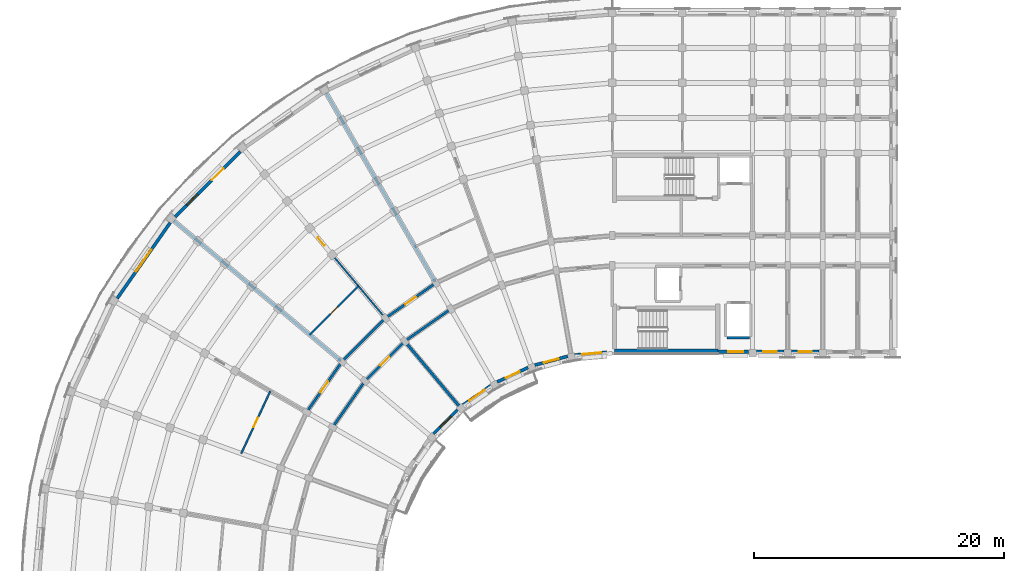
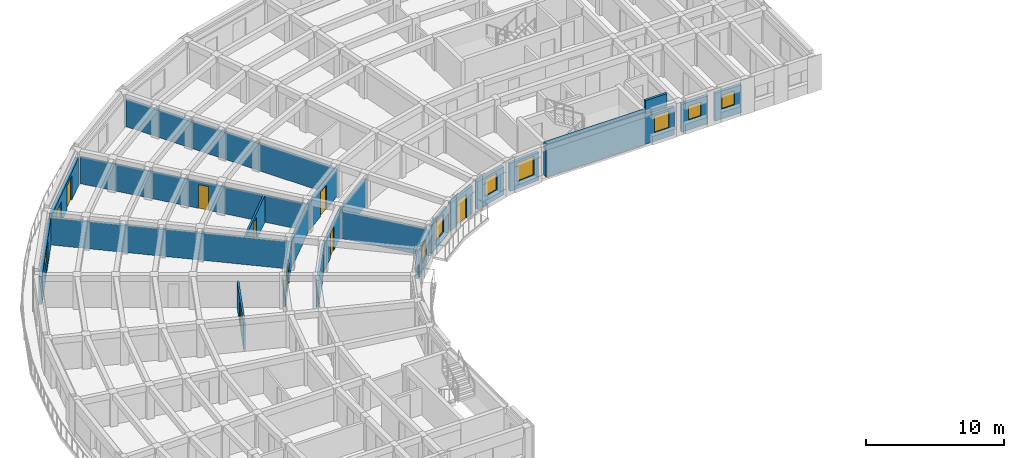
# One storey, part 17 of 41: 24 walls, 9 windows, 8 doors, 17 openings.
"""IFC4 building model written with IfcOpenShell, lengths in metres."""

from ifc_helpers import new_model, si_unit, direction, frame, frame_2d, origin, place, context, subcontext, project, spatial, rectangle, extrude, material, layer, layer_set, type_object, element, fill, save


model = new_model("IFC4")

# Units and contexts
model_context = context("Model", 3, precision=1e-05, world=origin(), true_north=direction((0.0, 1.0)))
body_context = subcontext(model_context, "Body", "Model", "MODEL_VIEW")
ifc_project = project(units=[si_unit("LENGTHUNIT", "METRE"), si_unit("AREAUNIT", "SQUARE_METRE"), si_unit("VOLUMEUNIT", "CUBIC_METRE"), si_unit("PLANEANGLEUNIT", "RADIAN"), si_unit("MASSUNIT", "GRAM", prefix="KILO")], contexts=[model_context])

# Site, building, storey
site_placement = place(None, origin())
site = spatial("IfcSite", under=ifc_project, at=site_placement, CompositionType="ELEMENT")
building_placement = place(site_placement, origin())
building = spatial("IfcBuilding", under=site, at=building_placement, Name="Kiranvali Square Residences", CompositionType="ELEMENT")
storey_placement = place(building_placement, frame((0.0, 0.0, 33.89990234375)))
storey = spatial("IfcBuildingStorey", under=building, at=storey_placement, Name="L10", CompositionType="ELEMENT", Elevation=33.89990234375)

# Wall
ifc_material_1 = material(Name="Autoclaved aerated concrete blockwork masonry", Category="masonry")
ifc_layer_1 = layer(ifc_material_1, 0.199951171875)
ifc_layer_set_1 = layer_set([ifc_layer_1], Name="Autoclaved aerated concrete blockwork masonry")
wall_type_1 = type_object("IfcWallType", Name="WL-COR-200", PredefinedType="STANDARD", material=ifc_layer_set_1)
wall_1_placement = place(storey_placement, frame((35.300048828125, 110.1435546875, 0.0), z_axis=(0.0, 0.0, 1.0), x_axis=(-0.819155404658, -0.573571637217, 0.0)))
element("IfcWall", 1, at=wall_1_placement, inside=storey, type_object=wall_type_1, Name="L10 architectural wall WL-L10-A-CCI-3", PredefinedType="STANDARD", context=body_context, shape_type="SweptSolid", body=[
    extrude(rectangle(XDim=4.497314453125, YDim=0.199951171875, at=frame_2d((2.24853515625, 0.0))), origin(), (0.0, 0.0, 1.0), 2.3720703125),
])

# Wall, opening, door
wall_2_placement = place(storey_placement, frame((34.10009765625, 112.221923828125, 0.0), z_axis=(0.0, 0.0, 1.0), x_axis=(-0.819140911474, -0.573592335331, 0.0)))
wall_2 = element("IfcWall", 2, at=wall_2_placement, inside=storey, type_object=wall_type_1, Name="L10 architectural wall WL-L10-A-CCO-3", PredefinedType="STANDARD", context=body_context, shape_type="SweptSolid", body=[
    extrude(rectangle(XDim=4.915771484375, YDim=0.199951171875, at=frame_2d((2.4580078125, 0.0))), origin(), (0.0, 0.0, 1.0), 2.3720703125),
])
opening_1_placement = place(wall_2_placement, frame((1.937744140625, 0.0, 0.0)))
opening_1 = element("IfcOpeningElement", 3, at=opening_1_placement, cuts=wall_2, Name="Opening FD-APT-60B", PredefinedType="OPENING", context=body_context, shape_type="SweptSolid", body=[
    extrude(rectangle(XDim=1.0400390625, YDim=2.14990234375, at=frame_2d((0.52001953125, 1.074951171875))), frame((0.0, 0.10986328125, 0.0), z_axis=(0.0, -1.0, 0.0), x_axis=(1.0, 0.0, 0.0)), (0.0, 0.0, 1.0), 0.219970703125),
])
ifc_material_2 = material(Name="Fire-rated acoustic hardwood and mineral-core door assembly", Category="wood")
door_type_1 = type_object("IfcDoorType", Name="DR-APT-1040", OperationType="NOTDEFINED", PredefinedType="DOOR", material=ifc_material_2)
door_1_placement = place(opening_1_placement, origin())
door_1 = element("IfcDoor", 4, at=door_1_placement, inside=storey, type_object=door_type_1, Name="L10 door DR-L10-0661 (DR-APT-1040)", OperationType="SINGLE_SWING_LEFT", OverallHeight=2.14990234375, OverallWidth=1.0400390625, PredefinedType="DOOR", context=body_context, shape_type="SweptSolid", body=[
    extrude(rectangle(XDim=1.0400390625, YDim=2.14990234375, at=frame_2d((0.52001953125, 1.074951171875))), frame((0.0, 0.02490234375, 0.0), z_axis=(0.0, -1.0, 0.0), x_axis=(1.0, 0.0, 0.0)), (0.0, 0.0, 1.0), 0.050048828125),
])
fill(opening_1, door_1)

wall_3_placement = place(storey_placement, frame((31.615966796875, 107.56396484375, 0.0), z_axis=(0.0, 0.0, 1.0), x_axis=(-0.707106781187, -0.707106781187, 0.0)))
wall_3 = element("IfcWall", 5, at=wall_3_placement, inside=storey, type_object=wall_type_1, Name="L10 architectural wall WL-L10-A-CCI-4", PredefinedType="STANDARD", context=body_context, shape_type="SweptSolid", body=[
    extrude(rectangle(XDim=4.4970703125, YDim=0.199951171875, at=frame_2d((2.24853515625, 0.0))), origin(), (0.0, 0.0, 1.0), 2.3720703125),
])
opening_2_placement = place(wall_3_placement, frame((1.74853515625, 0.0, 0.0)))
opening_2 = element("IfcOpeningElement", 6, at=opening_2_placement, cuts=wall_3, Name="Opening FD-APT-60", PredefinedType="OPENING", context=body_context, shape_type="SweptSolid", body=[
    extrude(rectangle(XDim=1.0, YDim=2.14990234375, at=frame_2d((0.5, 1.074951171875))), frame((0.0, 0.10986328125, 0.0), z_axis=(0.0, -1.0, 0.0), x_axis=(1.0, 0.0, 0.0)), (0.0, 0.0, 1.0), 0.219970703125),
])
door_type_2 = type_object("IfcDoorType", Name="DR-APT-1000", OperationType="NOTDEFINED", PredefinedType="DOOR", material=ifc_material_2)
door_2_placement = place(opening_2_placement, origin())
door_2 = element("IfcDoor", 7, at=door_2_placement, inside=storey, type_object=door_type_2, Name="L10 door DR-L10-0669 (DR-APT-1000)", OperationType="SINGLE_SWING_LEFT", OverallHeight=2.14990234375, OverallWidth=1.0, PredefinedType="DOOR", context=body_context, shape_type="SweptSolid", body=[
    extrude(rectangle(XDim=1.0, YDim=2.14990234375, at=frame_2d((0.5, 1.074951171875))), frame((0.0, 0.02490234375, 0.0), z_axis=(0.0, -1.0, 0.0), x_axis=(1.0, 0.0, 0.0)), (0.0, 0.0, 1.0), 0.050048828125),
])
fill(opening_2, door_2)

# Walls
wall_4_placement = place(storey_placement, frame((30.073486328125, 109.40234375, 0.0), z_axis=(0.0, 0.0, 1.0), x_axis=(-0.707106781187, -0.707106781187, 0.0)))
element("IfcWall", 8, at=wall_4_placement, inside=storey, type_object=wall_type_1, Name="L10 architectural wall WL-L10-A-CCO-4", PredefinedType="STANDARD", context=body_context, shape_type="SweptSolid", body=[
    extrude(rectangle(XDim=4.91552734375, YDim=0.199951171875, at=frame_2d((2.457763671875, 0.0))), origin(), (0.0, 0.0, 1.0), 2.3720703125),
])
wall_5_placement = place(storey_placement, frame((28.43603515625, 104.384033203125, 0.0), z_axis=(0.0, 0.0, 1.0), x_axis=(-0.573571637217, -0.819155404658, 0.0)))
element("IfcWall", 9, at=wall_5_placement, inside=storey, type_object=wall_type_1, Name="L10 architectural wall WL-L10-A-CCI-5", PredefinedType="STANDARD", context=body_context, shape_type="SweptSolid", body=[
    extrude(rectangle(XDim=4.497314453125, YDim=0.199951171875, at=frame_2d((2.24853515625, 0.0))), origin(), (0.0, 0.0, 1.0), 2.3720703125),
])

# Wall, opening, door
wall_6_placement = place(storey_placement, frame((26.59765625, 105.926513671875, 0.0), z_axis=(0.0, 0.0, 1.0), x_axis=(-0.573592335331, -0.819140911474, 0.0)))
wall_6 = element("IfcWall", 10, at=wall_6_placement, inside=storey, type_object=wall_type_1, Name="L10 architectural wall WL-L10-A-CCO-5", PredefinedType="STANDARD", context=body_context, shape_type="SweptSolid", body=[
    extrude(rectangle(XDim=4.915771484375, YDim=0.199951171875, at=frame_2d((2.4580078125, 0.0))), origin(), (0.0, 0.0, 1.0), 2.3720703125),
])
opening_3_placement = place(wall_6_placement, frame((1.917724609375, 0.0, 0.0)))
opening_3 = element("IfcOpeningElement", 11, at=opening_3_placement, cuts=wall_6, Name="Opening FD-APT-60C", PredefinedType="OPENING", context=body_context, shape_type="SweptSolid", body=[
    extrude(rectangle(XDim=1.080078125, YDim=2.14990234375, at=frame_2d((0.5400390625, 1.074951171875))), frame((0.0, 0.10986328125, 0.0), z_axis=(0.0, -1.0, 0.0), x_axis=(1.0, 0.0, 0.0)), (0.0, 0.0, 1.0), 0.219970703125),
])
door_type_3 = type_object("IfcDoorType", Name="DR-APT-1080", OperationType="NOTDEFINED", PredefinedType="DOOR", material=ifc_material_2)
door_3_placement = place(opening_3_placement, origin())
door_3 = element("IfcDoor", 12, at=door_3_placement, inside=storey, type_object=door_type_3, Name="L10 door DR-L10-0663 (DR-APT-1080)", OperationType="SINGLE_SWING_LEFT", OverallHeight=2.14990234375, OverallWidth=1.080078125, PredefinedType="DOOR", context=body_context, shape_type="SweptSolid", body=[
    extrude(rectangle(XDim=1.080078125, YDim=2.14990234375, at=frame_2d((0.5400390625, 1.074951171875))), frame((0.0, 0.02490234375, 0.0), z_axis=(0.0, -1.0, 0.0), x_axis=(1.0, 0.0, 0.0)), (0.0, 0.0, 1.0), 0.050048828125),
])
fill(opening_3, door_3)

# Walls
ifc_layer_2 = layer(ifc_material_1, 0.219970703125)
ifc_layer_set_2 = layer_set([ifc_layer_2], Name="Autoclaved aerated concrete blockwork masonry")
wall_type_2 = type_object("IfcWallType", Name="WL-DEM-220", PredefinedType="STANDARD", material=ifc_layer_set_2)
wall_7_placement = place(storey_placement, frame((34.050048828125, 112.30859375, 0.0), z_axis=(0.0, 0.0, 1.0), x_axis=(-0.499997843263, 0.866026648973, 0.0)))
element("IfcWall", 13, at=wall_7_placement, inside=storey, type_object=wall_type_2, Name="L10 architectural wall WL-L10-A-RADO-3", PredefinedType="STANDARD", context=body_context, shape_type="SweptSolid", body=[
    extrude(rectangle(XDim=17.419921875, YDim=0.219970703125, at=frame_2d((8.7099609375, 0.0))), origin(), (0.0, 0.0, 1.0), 2.3720703125),
])
wall_8_placement = place(storey_placement, frame((35.987060546875, 102.354736328125, 0.0), z_axis=(0.0, 0.0, 1.0), x_axis=(-0.642784846501, 0.766046761698, 0.0)))
element("IfcWall", 14, at=wall_8_placement, inside=storey, type_object=wall_type_2, Name="L10 architectural wall WL-L10-A-RADI-4", PredefinedType="STANDARD", context=body_context, shape_type="SweptSolid", body=[
    extrude(rectangle(XDim=6.75, YDim=0.219970703125, at=frame_2d((3.375, 0.0))), origin(), (0.0, 0.0, 1.0), 2.3720703125),
])
wall_9_placement = place(storey_placement, frame((26.52099609375, 105.990966796875, 0.0), z_axis=(0.0, 0.0, 1.0), x_axis=(-0.766046835987, 0.642784757967, 0.0)))
element("IfcWall", 15, at=wall_9_placement, inside=storey, type_object=wall_type_2, Name="L10 architectural wall WL-L10-A-RADO-5", PredefinedType="STANDARD", context=body_context, shape_type="SweptSolid", body=[
    extrude(rectangle(XDim=17.419921875, YDim=0.219970703125, at=frame_2d((8.7099609375, 0.0))), origin(), (0.0, 0.0, 1.0), 2.3720703125),
])

# Wall, openings, door, window
ifc_material_3 = material(Name="Breathable lime-rendered clay brick masonry", Category="masonry")
ifc_layer_3 = layer(ifc_material_3, 0.25)
ifc_layer_set_3 = layer_set([ifc_layer_3], Name="Breathable lime-rendered clay brick masonry")
wall_type_3 = type_object("IfcWallType", Name="WL-EXT-250", PredefinedType="STANDARD", material=ifc_layer_set_3)
wall_10_placement = place(storey_placement, frame((18.489990234375, 122.719482421875, 0.0), z_axis=(0.0, 0.0, 1.0), x_axis=(-0.707106781187, -0.707106781187, 0.0)))
wall_10 = element("IfcWall", 16, at=wall_10_placement, inside=storey, type_object=wall_type_3, Name="L10 exterior wall A-L10-CRV-04", PredefinedType="STANDARD", context=body_context, shape_type="SweptSolid", body=[
    extrude(rectangle(XDim=7.3671875, YDim=0.25, at=frame_2d((3.68359375, 0.0))), origin(), (0.0, 0.0, 1.0), 2.47216796875),
])
opening_4_placement = place(wall_10_placement, frame((4.83984375, 0.0, 0.322021484375)))
opening_4 = element("IfcOpeningElement", 17, at=opening_4_placement, cuts=wall_10, Name="Opening W-06", PredefinedType="OPENING", context=body_context, shape_type="SweptSolid", body=[
    extrude(rectangle(XDim=1.199951171875, YDim=1.5, at=frame_2d((0.60009765625, 0.75))), frame((0.0, 0.135009765625, 0.0), z_axis=(0.0, -1.0, 0.0), x_axis=(1.0, 0.0, 0.0)), (0.0, 0.0, 1.0), 0.27001953125),
])
opening_5_placement = place(wall_10_placement, frame((1.91845703125, 0.0, 0.0)))
opening_5 = element("IfcOpeningElement", 18, at=opening_5_placement, cuts=wall_10, Name="Opening ED-BAL-3", PredefinedType="OPENING", context=body_context, shape_type="SweptSolid", body=[
    extrude(rectangle(XDim=1.320068359375, YDim=2.14990234375, at=frame_2d((0.66015625, 1.074951171875))), frame((0.0, 0.135009765625, 0.0), z_axis=(0.0, -1.0, 0.0), x_axis=(1.0, 0.0, 0.0)), (0.0, 0.0, 1.0), 0.27001953125),
])
ifc_material_4 = material(Name="Anodised bronze aluminium framing", Category="aluminium")
door_type_4 = type_object("IfcDoorType", Name="DR-BAL-1320", OperationType="NOTDEFINED", PredefinedType="DOOR", material=ifc_material_4)
door_4_placement = place(opening_5_placement, frame((1.320068359375, 0.0, 0.0), z_axis=(0.0, 0.0, 1.0), x_axis=(-1.0, 0.0, 0.0)))
door_4 = element("IfcDoor", 19, at=door_4_placement, inside=storey, type_object=door_type_4, Name="L10 balcony terrace door", OperationType="SINGLE_SWING_LEFT", OverallHeight=2.14990234375, OverallWidth=1.320068359375, PredefinedType="DOOR", context=body_context, shape_type="SweptSolid", body=[
    extrude(rectangle(XDim=1.320068359375, YDim=2.14990234375, at=frame_2d((0.66015625, 1.074951171875))), frame((0.0, 0.02490234375, 0.0), z_axis=(0.0, -1.0, 0.0), x_axis=(1.0, 0.0, 0.0)), (0.0, 0.0, 1.0), 0.050048828125),
])
fill(opening_5, door_4)
ifc_material_5 = material(Name="Solar-control low-e double glazing", Category="glass")
window_type_1 = type_object("IfcWindowType", Name="WIN-RES-1200x1500", PartitioningType="SINGLE_PANEL", PredefinedType="WINDOW", material=ifc_material_5)
window_1_placement = place(opening_4_placement, origin())
window_1 = element("IfcWindow", 20, at=window_1_placement, inside=storey, type_object=window_type_1, Name="L10 recessed window A-L10-CRV-04", OverallHeight=1.5, OverallWidth=1.199951171875, PartitioningType="SINGLE_PANEL", PredefinedType="WINDOW", context=body_context, shape_type="SweptSolid", body=[
    extrude(rectangle(XDim=1.199951171875, YDim=1.5, at=frame_2d((0.60009765625, 0.75))), frame((0.0, 0.030029296875, 0.0), z_axis=(0.0, -1.0, 0.0), x_axis=(1.0, 0.0, 0.0)), (0.0, 0.0, 1.0), 0.06005859375),
])
fill(opening_4, window_1)

# Wall, opening, window
wall_11_placement = place(storey_placement, frame((12.877685546875, 117.02978515625, 0.0), z_axis=(0.0, 0.0, 1.0), x_axis=(-0.573582441919, -0.819147839112, 0.0)))
wall_11 = element("IfcWall", 21, at=wall_11_placement, inside=storey, type_object=wall_type_3, Name="L10 exterior wall A-L10-CRV-05", PredefinedType="STANDARD", context=body_context, shape_type="SweptSolid", body=[
    extrude(rectangle(XDim=7.366943359375, YDim=0.25, at=frame_2d((3.68359375, 0.0))), origin(), (0.0, 0.0, 1.0), 2.47216796875),
])
opening_6_placement = place(wall_11_placement, frame((2.633544921875, 0.0, 0.471923828125)))
opening_6 = element("IfcOpeningElement", 22, at=opening_6_placement, cuts=wall_11, Name="Opening W-03", PredefinedType="OPENING", context=body_context, shape_type="SweptSolid", body=[
    extrude(rectangle(XDim=2.10009765625, YDim=1.800048828125, at=frame_2d((1.050048828125, 0.89990234375))), frame((0.0, 0.135009765625, 0.0), z_axis=(0.0, -1.0, 0.0), x_axis=(1.0, 0.0, 0.0)), (0.0, 0.0, 1.0), 0.27001953125),
])
window_type_2 = type_object("IfcWindowType", Name="WIN-RES-2100x1800", PartitioningType="TRIPLE_PANEL_VERTICAL", PredefinedType="WINDOW", material=ifc_material_5)
window_2_placement = place(opening_6_placement, origin())
window_2 = element("IfcWindow", 23, at=window_2_placement, inside=storey, type_object=window_type_2, Name="L10 recessed window A-L10-CRV-05", OverallHeight=1.800048828125, OverallWidth=2.10009765625, PartitioningType="TRIPLE_PANEL_VERTICAL", PredefinedType="WINDOW", context=body_context, shape_type="SweptSolid", body=[
    extrude(rectangle(XDim=2.10009765625, YDim=1.800048828125, at=frame_2d((1.050048828125, 0.89990234375))), frame((0.0, 0.030029296875, 0.0), z_axis=(0.0, -1.0, 0.0), x_axis=(1.0, 0.0, 0.0)), (0.0, 0.0, 1.0), 0.06005859375),
])
fill(opening_6, window_2)

wall_12_placement = place(storey_placement, frame((47.750732421875, 106.686279296875, 0.0), z_axis=(0.0, 0.0, 1.0), x_axis=(-0.996188847542, -0.087222589008, 0.0)))
wall_12 = element("IfcWall", 24, at=wall_12_placement, inside=storey, type_object=wall_type_3, Name="L10 exterior wall A-L10-GDN-00", PredefinedType="STANDARD", context=body_context, shape_type="SweptSolid", body=[
    extrude(rectangle(XDim=2.558349609375, YDim=0.25, at=frame_2d((1.279296875, 0.0))), origin(), (0.0, 0.0, 1.0), 2.47216796875),
])
opening_7_placement = place(wall_12_placement, frame((0.448486328125, 0.0, 0.6220703125)))
opening_7 = element("IfcOpeningElement", 25, at=opening_7_placement, cuts=wall_12, Name="Opening W-05", PredefinedType="OPENING", context=body_context, shape_type="SweptSolid", body=[
    extrude(rectangle(XDim=1.5, YDim=1.64990234375, at=frame_2d((0.75, 0.824951171875))), frame((0.0, 0.135009765625, 0.0), z_axis=(0.0, -1.0, 0.0), x_axis=(1.0, 0.0, 0.0)), (0.0, 0.0, 1.0), 0.27001953125),
])
window_type_3 = type_object("IfcWindowType", Name="WIN-RES-1500x1650", PartitioningType="DOUBLE_PANEL_VERTICAL", PredefinedType="WINDOW", material=ifc_material_5)
window_3_placement = place(opening_7_placement, origin())
window_3 = element("IfcWindow", 26, at=window_3_placement, inside=storey, type_object=window_type_3, Name="L10 recessed window A-L10-GDN-00", OverallHeight=1.64990234375, OverallWidth=1.5, PartitioningType="DOUBLE_PANEL_VERTICAL", PredefinedType="WINDOW", context=body_context, shape_type="SweptSolid", body=[
    extrude(rectangle(XDim=1.5, YDim=1.64990234375, at=frame_2d((0.75, 0.824951171875))), frame((0.0, 0.030029296875, 0.0), z_axis=(0.0, -1.0, 0.0), x_axis=(1.0, 0.0, 0.0)), (0.0, 0.0, 1.0), 0.06005859375),
])
fill(opening_7, window_3)

wall_13_placement = place(storey_placement, frame((44.6337890625, 106.363037109375, 0.0), z_axis=(0.0, 0.0, 1.0), x_axis=(-0.965928818058, -0.258807879411, 0.0)))
wall_13 = element("IfcWall", 27, at=wall_13_placement, inside=storey, type_object=wall_type_3, Name="L10 exterior wall A-L10-GDN-01", PredefinedType="STANDARD", context=body_context, shape_type="SweptSolid", body=[
    extrude(rectangle(XDim=2.7197265625, YDim=0.25, at=frame_2d((1.35986328125, 0.0))), origin(), (0.0, 0.0, 1.0), 2.47216796875),
])
opening_8_placement = place(wall_13_placement, frame((0.759765625, 0.0, 0.77197265625)))
opening_8 = element("IfcOpeningElement", 28, at=opening_8_placement, cuts=wall_13, Name="Opening W-06", PredefinedType="OPENING", context=body_context, shape_type="SweptSolid", body=[
    extrude(rectangle(XDim=1.199951171875, YDim=1.5, at=frame_2d((0.60009765625, 0.75))), frame((0.0, 0.135009765625, 0.0), z_axis=(0.0, -1.0, 0.0), x_axis=(1.0, 0.0, 0.0)), (0.0, 0.0, 1.0), 0.27001953125),
])
window_4_placement = place(opening_8_placement, origin())
window_4 = element("IfcWindow", 29, at=window_4_placement, inside=storey, type_object=window_type_1, Name="L10 recessed window A-L10-GDN-01", OverallHeight=1.5, OverallWidth=1.199951171875, PartitioningType="SINGLE_PANEL", PredefinedType="WINDOW", context=body_context, shape_type="SweptSolid", body=[
    extrude(rectangle(XDim=1.199951171875, YDim=1.5, at=frame_2d((0.60009765625, 0.75))), frame((0.0, 0.030029296875, 0.0), z_axis=(0.0, -1.0, 0.0), x_axis=(1.0, 0.0, 0.0)), (0.0, 0.0, 1.0), 0.06005859375),
])
fill(opening_8, window_4)

# Wall, opening, door
wall_14_placement = place(storey_placement, frame((41.464599609375, 105.461669921875, 0.0), z_axis=(0.0, 0.0, 1.0), x_axis=(-0.906302358412, -0.422629903269, 0.0)))
wall_14 = element("IfcWall", 30, at=wall_14_placement, inside=storey, type_object=wall_type_3, Name="L10 exterior wall A-L10-GDN-02", PredefinedType="STANDARD", context=body_context, shape_type="SweptSolid", body=[
    extrude(rectangle(XDim=2.7197265625, YDim=0.25, at=frame_2d((1.35986328125, 0.0))), origin(), (0.0, 0.0, 1.0), 2.47216796875),
])
opening_9_placement = place(wall_14_placement, frame((0.759765625, 0.0, 0.0)))
opening_9 = element("IfcOpeningElement", 31, at=opening_9_placement, cuts=wall_14, Name="Opening ED-BAL-1", PredefinedType="OPENING", context=body_context, shape_type="SweptSolid", body=[
    extrude(rectangle(XDim=1.199951171875, YDim=2.14990234375, at=frame_2d((0.60009765625, 1.074951171875))), frame((0.0, 0.135009765625, 0.0), z_axis=(0.0, -1.0, 0.0), x_axis=(1.0, 0.0, 0.0)), (0.0, 0.0, 1.0), 0.27001953125),
])
door_type_5 = type_object("IfcDoorType", Name="DR-BAL-1200", OperationType="NOTDEFINED", PredefinedType="DOOR", material=ifc_material_4)
door_5_placement = place(opening_9_placement, origin())
door_5 = element("IfcDoor", 32, at=door_5_placement, inside=storey, type_object=door_type_5, Name="L10 balcony terrace door", OperationType="SINGLE_SWING_LEFT", OverallHeight=2.14990234375, OverallWidth=1.199951171875, PredefinedType="DOOR", context=body_context, shape_type="SweptSolid", body=[
    extrude(rectangle(XDim=1.199951171875, YDim=2.14990234375, at=frame_2d((0.60009765625, 1.074951171875))), frame((0.0, 0.02490234375, 0.0), z_axis=(0.0, -1.0, 0.0), x_axis=(1.0, 0.0, 0.0)), (0.0, 0.0, 1.0), 0.050048828125),
])
fill(opening_9, door_5)

# Wall, opening, window
wall_15_placement = place(storey_placement, frame((38.5, 104.02392578125, 0.0), z_axis=(0.0, 0.0, 1.0), x_axis=(-0.819126475299, -0.573612950921, 0.0)))
wall_15 = element("IfcWall", 33, at=wall_15_placement, inside=storey, type_object=wall_type_3, Name="L10 exterior wall A-L10-GDN-03", PredefinedType="STANDARD", context=body_context, shape_type="SweptSolid", body=[
    extrude(rectangle(XDim=2.7197265625, YDim=0.25, at=frame_2d((1.35986328125, 0.0))), origin(), (0.0, 0.0, 1.0), 2.47216796875),
])
opening_10_placement = place(wall_15_placement, frame((0.60986328125, 0.0, 0.6220703125)))
opening_10 = element("IfcOpeningElement", 34, at=opening_10_placement, cuts=wall_15, Name="Opening W-05", PredefinedType="OPENING", context=body_context, shape_type="SweptSolid", body=[
    extrude(rectangle(XDim=1.5, YDim=1.64990234375, at=frame_2d((0.75, 0.824951171875))), frame((0.0, 0.135009765625, 0.0), z_axis=(0.0, -1.0, 0.0), x_axis=(1.0, 0.0, 0.0)), (0.0, 0.0, 1.0), 0.27001953125),
])
window_5_placement = place(opening_10_placement, origin())
window_5 = element("IfcWindow", 35, at=window_5_placement, inside=storey, type_object=window_type_3, Name="L10 recessed window A-L10-GDN-03", OverallHeight=1.64990234375, OverallWidth=1.5, PartitioningType="DOUBLE_PANEL_VERTICAL", PredefinedType="WINDOW", context=body_context, shape_type="SweptSolid", body=[
    extrude(rectangle(XDim=1.5, YDim=1.64990234375, at=frame_2d((0.75, 0.824951171875))), frame((0.0, 0.030029296875, 0.0), z_axis=(0.0, -1.0, 0.0), x_axis=(1.0, 0.0, 0.0)), (0.0, 0.0, 1.0), 0.06005859375),
])
fill(opening_10, window_5)

wall_16_placement = place(storey_placement, frame((35.830078125, 102.093017578125, 0.0), z_axis=(0.0, 0.0, 1.0), x_axis=(-0.707106781187, -0.707106781187, 0.0)))
wall_16 = element("IfcWall", 36, at=wall_16_placement, inside=storey, type_object=wall_type_3, Name="L10 exterior wall A-L10-GDN-04", PredefinedType="STANDARD", context=body_context, shape_type="SweptSolid", body=[
    extrude(rectangle(XDim=2.7197265625, YDim=0.25, at=frame_2d((1.35986328125, 0.0))), origin(), (0.0, 0.0, 1.0), 2.47216796875),
])
opening_11_placement = place(wall_16_placement, frame((0.759765625, 0.0, 0.77197265625)))
opening_11 = element("IfcOpeningElement", 37, at=opening_11_placement, cuts=wall_16, Name="Opening W-06", PredefinedType="OPENING", context=body_context, shape_type="SweptSolid", body=[
    extrude(rectangle(XDim=1.199951171875, YDim=1.5, at=frame_2d((0.60009765625, 0.75))), frame((0.0, 0.135009765625, 0.0), z_axis=(0.0, -1.0, 0.0), x_axis=(1.0, 0.0, 0.0)), (0.0, 0.0, 1.0), 0.27001953125),
])
window_6_placement = place(opening_11_placement, origin())
window_6 = element("IfcWindow", 38, at=window_6_placement, inside=storey, type_object=window_type_1, Name="L10 recessed window A-L10-GDN-04", OverallHeight=1.5, OverallWidth=1.199951171875, PartitioningType="SINGLE_PANEL", PredefinedType="WINDOW", context=body_context, shape_type="SweptSolid", body=[
    extrude(rectangle(XDim=1.199951171875, YDim=1.5, at=frame_2d((0.60009765625, 0.75))), frame((0.0, 0.030029296875, 0.0), z_axis=(0.0, -1.0, 0.0), x_axis=(1.0, 0.0, 0.0)), (0.0, 0.0, 1.0), 0.06005859375),
])
fill(opening_11, window_6)

wall_17_placement = place(storey_placement, frame((56.62841796875, 106.72509765625, 0.0), z_axis=(0.0, 0.0, 1.0), x_axis=(1.0, 0.0, 0.0)))
wall_17 = element("IfcWall", 39, at=wall_17_placement, inside=storey, type_object=wall_type_3, Name="L10 exterior wall A-L10-A1IN-0", PredefinedType="STANDARD", context=body_context, shape_type="SweptSolid", body=[
    extrude(rectangle(XDim=2.468017578125, YDim=0.25, at=frame_2d((1.23388671875, 0.0))), origin(), (0.0, 0.0, 1.0), 2.47216796875),
])
opening_12_placement = place(wall_17_placement, frame((0.821533203125, 0.0, 0.77197265625)))
opening_12 = element("IfcOpeningElement", 40, at=opening_12_placement, cuts=wall_17, Name="Opening W-06", PredefinedType="OPENING", context=body_context, shape_type="SweptSolid", body=[
    extrude(rectangle(XDim=1.199951171875, YDim=1.5, at=frame_2d((0.60009765625, 0.75))), frame((0.0, 0.135009765625, 0.0), z_axis=(0.0, -1.0, 0.0), x_axis=(1.0, 0.0, 0.0)), (0.0, 0.0, 1.0), 0.27001953125),
])
window_7_placement = place(opening_12_placement, origin())
window_7 = element("IfcWindow", 41, at=window_7_placement, inside=storey, type_object=window_type_1, Name="L10 recessed window A-L10-A1IN-0", OverallHeight=1.5, OverallWidth=1.199951171875, PartitioningType="SINGLE_PANEL", PredefinedType="WINDOW", context=body_context, shape_type="SweptSolid", body=[
    extrude(rectangle(XDim=1.199951171875, YDim=1.5, at=frame_2d((0.60009765625, 0.75))), frame((0.0, 0.030029296875, 0.0), z_axis=(0.0, -1.0, 0.0), x_axis=(1.0, 0.0, 0.0)), (0.0, 0.0, 1.0), 0.06005859375),
])
fill(opening_12, window_7)

wall_18_placement = place(storey_placement, frame((59.70361328125, 106.72509765625, 0.0), z_axis=(0.0, 0.0, 1.0), x_axis=(1.0, 0.0, 0.0)))
wall_18 = element("IfcWall", 42, at=wall_18_placement, inside=storey, type_object=wall_type_3, Name="L10 exterior wall A-L10-A1I-0", PredefinedType="STANDARD", context=body_context, shape_type="SweptSolid", body=[
    extrude(rectangle(XDim=2.19287109375, YDim=0.25, at=frame_2d((1.096435546875, 0.0))), origin(), (0.0, 0.0, 1.0), 2.47216796875),
])
opening_13_placement = place(wall_18_placement, frame((0.571533203125, 0.0, 0.8798828125)))
opening_13 = element("IfcOpeningElement", 43, at=opening_13_placement, cuts=wall_18, Name="Opening W-24", PredefinedType="OPENING", context=body_context, shape_type="SweptSolid", body=[
    extrude(rectangle(XDim=1.050048828125, YDim=1.25, at=frame_2d((0.52490234375, 0.625))), frame((0.0, 0.135009765625, 0.0), z_axis=(0.0, -1.0, 0.0), x_axis=(1.0, 0.0, 0.0)), (0.0, 0.0, 1.0), 0.27001953125),
])
window_type_4 = type_object("IfcWindowType", Name="WIN-COR-1050x1250", PartitioningType="SINGLE_PANEL", PredefinedType="WINDOW", material=ifc_material_5)
window_8_placement = place(opening_13_placement, origin())
window_8 = element("IfcWindow", 44, at=window_8_placement, inside=storey, type_object=window_type_4, Name="L10 recessed window A-L10-A1I-0", OverallHeight=1.25, OverallWidth=1.050048828125, PartitioningType="SINGLE_PANEL", PredefinedType="WINDOW", context=body_context, shape_type="SweptSolid", body=[
    extrude(rectangle(XDim=1.050048828125, YDim=1.25, at=frame_2d((0.52490234375, 0.625))), frame((0.0, 0.030029296875, 0.0), z_axis=(0.0, -1.0, 0.0), x_axis=(1.0, 0.0, 0.0)), (0.0, 0.0, 1.0), 0.06005859375),
])
fill(opening_13, window_8)

wall_19_placement = place(storey_placement, frame((62.50341796875, 106.72509765625, 0.0), z_axis=(0.0, 0.0, 1.0), x_axis=(1.0, 0.0, 0.0)))
wall_19 = element("IfcWall", 45, at=wall_19_placement, inside=storey, type_object=wall_type_3, Name="L10 exterior wall A-L10-A1I-1", PredefinedType="STANDARD", context=body_context, shape_type="SweptSolid", body=[
    extrude(rectangle(XDim=2.193115234375, YDim=0.25, at=frame_2d((1.0966796875, 0.0))), origin(), (0.0, 0.0, 1.0), 2.47216796875),
])
opening_14_placement = place(wall_19_placement, frame((0.571533203125, 0.0, 0.8798828125)))
opening_14 = element("IfcOpeningElement", 46, at=opening_14_placement, cuts=wall_19, Name="Opening W-24", PredefinedType="OPENING", context=body_context, shape_type="SweptSolid", body=[
    extrude(rectangle(XDim=1.050048828125, YDim=1.25, at=frame_2d((0.52490234375, 0.625))), frame((0.0, 0.135009765625, 0.0), z_axis=(0.0, -1.0, 0.0), x_axis=(1.0, 0.0, 0.0)), (0.0, 0.0, 1.0), 0.27001953125),
])
window_9_placement = place(opening_14_placement, origin())
window_9 = element("IfcWindow", 47, at=window_9_placement, inside=storey, type_object=window_type_4, Name="L10 recessed window A-L10-A1I-1", OverallHeight=1.25, OverallWidth=1.050048828125, PartitioningType="SINGLE_PANEL", PredefinedType="WINDOW", context=body_context, shape_type="SweptSolid", body=[
    extrude(rectangle(XDim=1.050048828125, YDim=1.25, at=frame_2d((0.52490234375, 0.625))), frame((0.0, 0.030029296875, 0.0), z_axis=(0.0, -1.0, 0.0), x_axis=(1.0, 0.0, 0.0)), (0.0, 0.0, 1.0), 0.06005859375),
])
fill(opening_14, window_9)

# Wall, opening, door
ifc_material_6 = material(Name="Acoustic gypsum board drylined partition", Category="gypsum")
ifc_layer_4 = layer(ifc_material_6, 0.125)
ifc_layer_set_4 = layer_set([ifc_layer_4], Name="Acoustic gypsum board drylined partition")
wall_type_4 = type_object("IfcWallType", Name="WL-PRT-125", PredefinedType="PARTITIONING", material=ifc_layer_set_4)
wall_20_placement = place(storey_placement, frame((30.009033203125, 109.47900390625, 0.0), z_axis=(0.0, 0.0, 1.0), x_axis=(-0.642784757967, 0.766046835987, 0.0)))
wall_20 = element("IfcWall", 48, at=wall_20_placement, inside=storey, type_object=wall_type_4, Name="L10 architectural wall WL-L10-A-RADO-4", PredefinedType="PARTITIONING", context=body_context, shape_type="SweptSolid", body=[
    extrude(rectangle(XDim=17.419921875, YDim=0.125, at=frame_2d((8.7099609375, 0.0))), origin(), (0.0, 0.0, 1.0), 2.3720703125),
])
opening_15_placement = place(wall_20_placement, frame((7.5, 0.0, 0.0)))
opening_15 = element("IfcOpeningElement", 49, at=opening_15_placement, cuts=wall_20, Name="Opening ID-WET", PredefinedType="OPENING", context=body_context, shape_type="SweptSolid", body=[
    extrude(rectangle(XDim=0.800048828125, YDim=2.10009765625, at=frame_2d((0.39990234375, 1.050048828125))), frame((0.0, 0.072509765625, 0.0), z_axis=(0.0, -1.0, 0.0), x_axis=(1.0, 0.0, 0.0)), (0.0, 0.0, 1.0), 0.14501953125),
])
ifc_material_7 = material(Name="Solid seasoned teak hardwood joinery", Category="wood")
door_type_6 = type_object("IfcDoorType", Name="DR-WET-800", OperationType="NOTDEFINED", PredefinedType="DOOR", material=ifc_material_7)
door_6_placement = place(opening_15_placement, frame((0.800048828125, 0.0, 0.0), z_axis=(0.0, 0.0, 1.0), x_axis=(-1.0, 0.0, 0.0)))
door_6 = element("IfcDoor", 50, at=door_6_placement, inside=storey, type_object=door_type_6, Name="L10 door DR-L10-0656 (DR-WET-800)", OperationType="SINGLE_SWING_RIGHT", OverallHeight=2.10009765625, OverallWidth=0.800048828125, PredefinedType="DOOR", context=body_context, shape_type="SweptSolid", body=[
    extrude(rectangle(XDim=0.800048828125, YDim=2.10009765625, at=frame_2d((0.39990234375, 1.050048828125))), frame((0.0, 0.02490234375, 0.0), z_axis=(0.0, -1.0, 0.0), x_axis=(1.0, 0.0, 0.0)), (0.0, 0.0, 1.0), 0.050048828125),
])
fill(opening_15, door_6)

# Walls
ifc_layer_5 = layer(ifc_material_1, 0.199951171875)
ifc_layer_set_5 = layer_set([ifc_layer_5], Name="Autoclaved aerated concrete blockwork masonry")
wall_type_5 = type_object("IfcWallType", Name="WL-SHF-200", PredefinedType="STANDARD", material=ifc_layer_set_5)
wall_21_placement = place(storey_placement, frame((57.35009765625, 107.85009765625, 0.0), z_axis=(0.0, 0.0, 1.0), x_axis=(1.0, 0.0, 0.0)))
element("IfcWall", 51, at=wall_21_placement, inside=storey, type_object=wall_type_5, Name="L10 architectural wall WL-L10-A-LP1-S2", PredefinedType="STANDARD", context=body_context, shape_type="SweptSolid", body=[
    extrude(rectangle(XDim=1.7998046875, YDim=0.199951171875, at=frame_2d((0.89990234375, 0.0))), origin(), (0.0, 0.0, 1.0), 2.93017578125),
])
ifc_material_8 = material(Name="Concrete M45 (45 MPa)", Category="concrete")
ifc_layer_6 = layer(ifc_material_8, 0.320068359375)
ifc_layer_set_6 = layer_set([ifc_layer_6], Name="Concrete M45 (45 MPa)")
wall_type_6 = type_object("IfcWallType", Name="WL-SHR-320", PredefinedType="SHEAR", material=ifc_layer_set_6)
wall_22_placement = place(storey_placement, frame((48.375, 106.77490234375, 0.0), z_axis=(0.0, 0.0, 1.0), x_axis=(1.0, 0.0, 0.0)))
element("IfcWall", 52, at=wall_22_placement, inside=storey, type_object=wall_type_6, Name="Block A core shear wall SW-A2-OUT-L10", PredefinedType="SHEAR", context=body_context, shape_type="SweptSolid", body=[
    extrude(rectangle(XDim=8.25, YDim=0.35009765625, at=frame_2d((4.125, 0.0))), origin(), (0.0, 0.0, 1.0), 2.93017578125),
])

# Wall, opening, door
ifc_layer_7 = layer(ifc_material_1, 0.14990234375)
ifc_layer_set_7 = layer_set([ifc_layer_7], Name="Autoclaved aerated concrete blockwork masonry")
wall_type_7 = type_object("IfcWallType", Name="WL-WET-150", PredefinedType="PLUMBINGWALL", material=ifc_layer_set_7)
wall_23_placement = place(storey_placement, frame((27.920166015625, 111.96875, 0.0), z_axis=(0.0, 0.0, 1.0), x_axis=(-0.707106781187, -0.707106781187, 0.0)))
wall_23 = element("IfcWall", 53, at=wall_23_placement, inside=storey, type_object=wall_type_7, Name="L10 architectural wall WL-L10-A-CWET-4", PredefinedType="PLUMBINGWALL", context=body_context, shape_type="SweptSolid", body=[
    extrude(rectangle(XDim=5.499755859375, YDim=0.14990234375, at=frame_2d((2.75, 0.0))), origin(), (0.0, 0.0, 1.0), 2.3720703125),
])
opening_16_placement = place(wall_23_placement, frame((2.369873046875, 0.0, 0.0)))
opening_16 = element("IfcOpeningElement", 54, at=opening_16_placement, cuts=wall_23, Name="Opening ID-WET0", PredefinedType="OPENING", context=body_context, shape_type="SweptSolid", body=[
    extrude(rectangle(XDim=0.760009765625, YDim=2.050048828125, at=frame_2d((0.3798828125, 1.02490234375))), frame((0.0, 0.0849609375, 0.0), z_axis=(0.0, -1.0, 0.0), x_axis=(1.0, 0.0, 0.0)), (0.0, 0.0, 1.0), 0.169921875),
])
door_type_7 = type_object("IfcDoorType", Name="DR-WET-760", OperationType="NOTDEFINED", PredefinedType="DOOR", material=ifc_material_7)
door_7_placement = place(opening_16_placement, frame((0.760009765625, 0.0, 0.0), z_axis=(0.0, 0.0, 1.0), x_axis=(-1.0, 0.0, 0.0)))
door_7 = element("IfcDoor", 55, at=door_7_placement, inside=storey, type_object=door_type_7, Name="L10 door DR-L10-0662 (DR-WET-760)", OperationType="SINGLE_SWING_RIGHT", OverallHeight=2.050048828125, OverallWidth=0.760009765625, PredefinedType="DOOR", context=body_context, shape_type="SweptSolid", body=[
    extrude(rectangle(XDim=0.760009765625, YDim=2.050048828125, at=frame_2d((0.3798828125, 1.02490234375))), frame((0.0, 0.02490234375, 0.0), z_axis=(0.0, -1.0, 0.0), x_axis=(1.0, 0.0, 0.0)), (0.0, 0.0, 1.0), 0.050048828125),
])
fill(opening_16, door_7)

wall_24_placement = place(storey_placement, frame((20.876953125, 103.574951171875, 0.0), z_axis=(0.0, 0.0, 1.0), x_axis=(-0.422630264446, -0.906302189986, 0.0)))
wall_24 = element("IfcWall", 56, at=wall_24_placement, inside=storey, type_object=wall_type_7, Name="L10 architectural wall WL-L10-A-CWET-6", PredefinedType="PLUMBINGWALL", context=body_context, shape_type="SweptSolid", body=[
    extrude(rectangle(XDim=5.49951171875, YDim=0.14990234375, at=frame_2d((2.749755859375, 0.0))), origin(), (0.0, 0.0, 1.0), 2.3720703125),
])
opening_17_placement = place(wall_24_placement, frame((2.329833984375, 0.0, 0.0)))
opening_17 = element("IfcOpeningElement", 57, at=opening_17_placement, cuts=wall_24, Name="Opening ID-WET2", PredefinedType="OPENING", context=body_context, shape_type="SweptSolid", body=[
    extrude(rectangle(XDim=0.840087890625, YDim=2.10009765625, at=frame_2d((0.419921875, 1.050048828125))), frame((0.0, 0.0849609375, 0.0), z_axis=(0.0, -1.0, 0.0), x_axis=(1.0, 0.0, 0.0)), (0.0, 0.0, 1.0), 0.169921875),
])
door_type_8 = type_object("IfcDoorType", Name="DR-WET-840", OperationType="NOTDEFINED", PredefinedType="DOOR", material=ifc_material_7)
door_8_placement = place(opening_17_placement, frame((0.840087890625, 0.0, 0.0), z_axis=(0.0, 0.0, 1.0), x_axis=(-1.0, 0.0, 0.0)))
door_8 = element("IfcDoor", 58, at=door_8_placement, inside=storey, type_object=door_type_8, Name="L10 door DR-L10-0664 (DR-WET-840)", OperationType="SINGLE_SWING_RIGHT", OverallHeight=2.10009765625, OverallWidth=0.840087890625, PredefinedType="DOOR", context=body_context, shape_type="SweptSolid", body=[
    extrude(rectangle(XDim=0.840087890625, YDim=2.10009765625, at=frame_2d((0.419921875, 1.050048828125))), frame((0.0, 0.02490234375, 0.0), z_axis=(0.0, -1.0, 0.0), x_axis=(1.0, 0.0, 0.0)), (0.0, 0.0, 1.0), 0.050048828125),
])
fill(opening_17, door_8)

save(model, "model.ifc")
